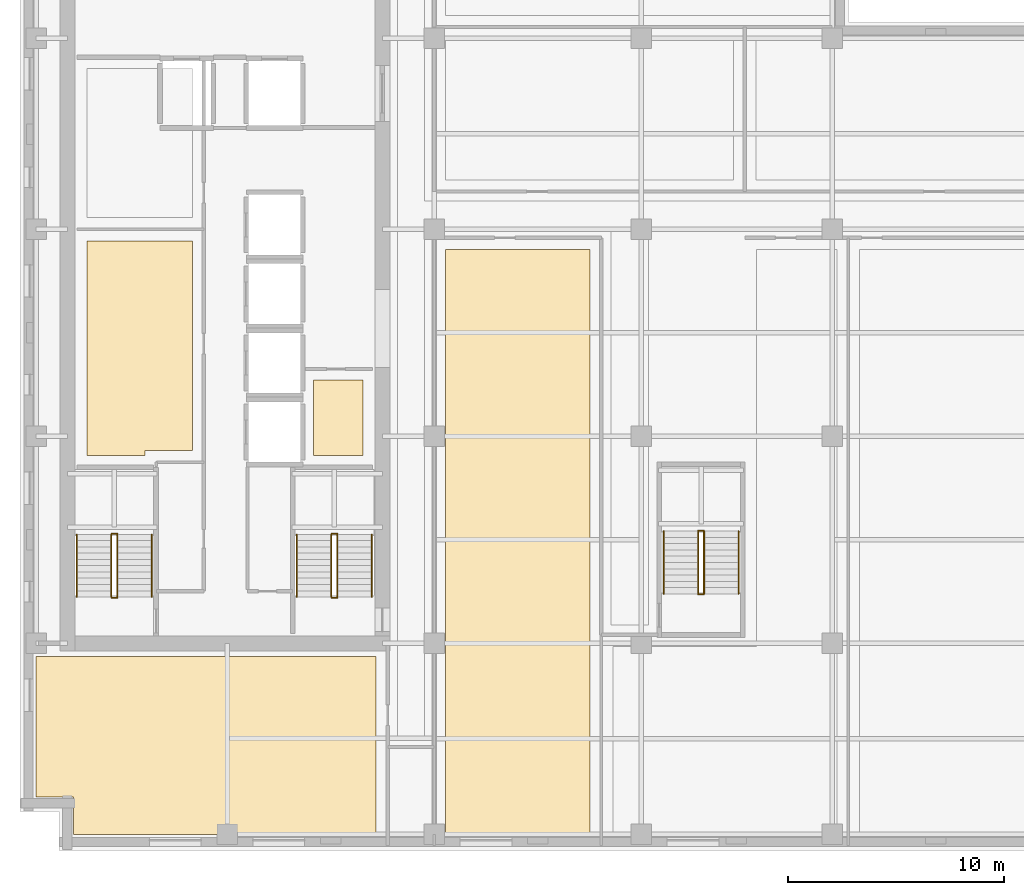
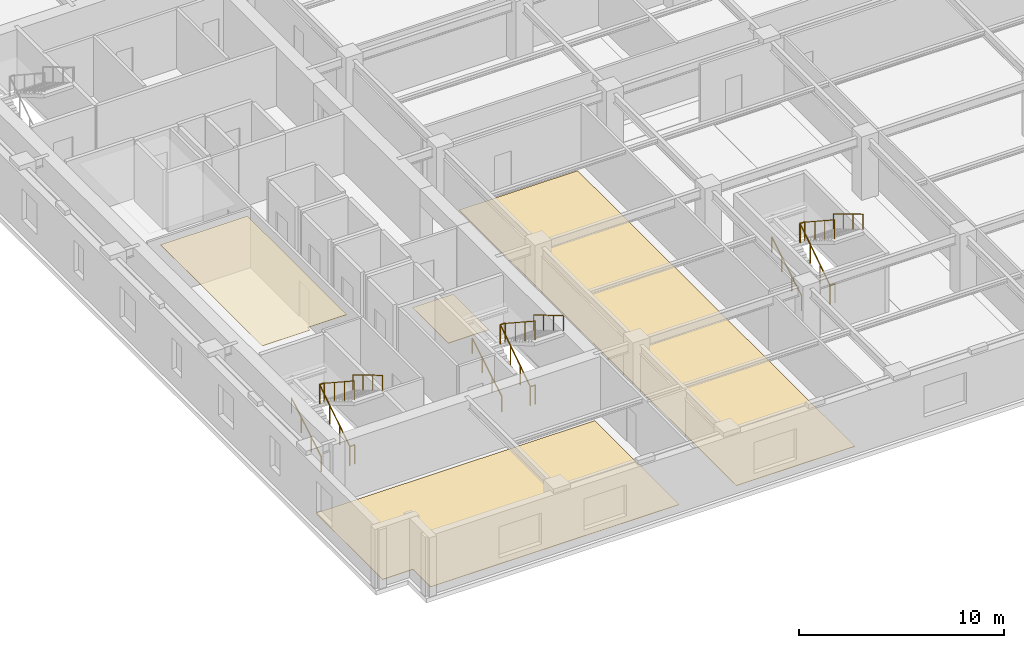
# One storey, part 8 of 12: 18 railings, 4 coverings.
"""IFC4 building model written with IfcOpenShell, lengths in metres."""

from ifc_helpers import new_model, si_unit, direction, frame, origin, origin_2d, place, context, subcontext, project, spatial, polyline, circle, outline, extrude, material, layer, layer_set, type_object, element, save


model = new_model("IFC4")

# Units and contexts
model_context = context("Model", 3, precision=1e-05, world=origin(), true_north=direction((0.0, 1.0)))
body_context = subcontext(model_context, "Body", "Model", "MODEL_VIEW")
ifc_project = project(units=[si_unit("LENGTHUNIT", "METRE"), si_unit("AREAUNIT", "SQUARE_METRE"), si_unit("VOLUMEUNIT", "CUBIC_METRE"), si_unit("PLANEANGLEUNIT", "RADIAN"), si_unit("MASSUNIT", "GRAM", prefix="KILO")], contexts=[model_context])

# Site, building, storey
site_placement = place(None, origin())
site = spatial("IfcSite", under=ifc_project, at=site_placement, CompositionType="ELEMENT")
building_placement = place(site_placement, origin())
building = spatial("IfcBuilding", under=site, at=building_placement, Name="Norrvale University Quadrangle", CompositionType="ELEMENT")
storey_placement = place(building_placement, frame((0.0, 0.0, 186.39990234375)))
storey = spatial("IfcBuildingStorey", under=building, at=storey_placement, Name="L47", CompositionType="ELEMENT", Elevation=186.39990234375)

# Coverings
ifc_material_1 = material(Name="Perforated Acoustic Mineral Ceiling")
ifc_layer_1 = layer(ifc_material_1, 0.02490234375, Name="Perforated Acoustic Mineral Ceiling")
ifc_layer_set_1 = layer_set([ifc_layer_1], Name="Perforated Acoustic Mineral Ceiling")
covering_type_1 = type_object("IfcCoveringType", Name="Covering Acoustic Ceiling 25", PredefinedType="CEILING", material=ifc_layer_set_1)
covering_1_placement = place(storey_placement, frame((0.0, 0.0, 3.51513671875)))
element("IfcCovering", 1, at=covering_1_placement, inside=storey, type_object=covering_type_1, Name="Acoustic Ceiling RM-L47-REC2", PredefinedType="CEILING", context=body_context, shape_type="SweptSolid", body=[
    extrude(outline(polyline([(3.10009765625, 18.300048828125), (3.10009765625, 28.25), (8.0, 28.25), (8.0, 18.550048828125), (5.800048828125, 18.550048828125), (5.800048828125, 18.300048828125), (3.10009765625, 18.300048828125)])), origin(), (0.0, 0.0, 1.0), 0.02490234375),
])
ifc_material_2 = material(Name="Polished Terrazzo Flooring")
ifc_layer_2 = layer(ifc_material_2, 0.02490234375, Name="Polished Terrazzo Flooring")
ifc_layer_set_2 = layer_set([ifc_layer_2], Name="Polished Terrazzo Flooring")
covering_type_2 = type_object("IfcCoveringType", Name="Covering Terrazzo Floor 30", PredefinedType="FLOORING", material=ifc_layer_set_2)
covering_2_placement = place(storey_placement, origin())
element("IfcCovering", 2, at=covering_2_placement, inside=storey, type_object=covering_type_2, Name="Terrazzo Flooring RM-L47-JAN", PredefinedType="FLOORING", context=body_context, shape_type="SweptSolid", body=[
    extrude(outline(polyline([(13.60009765625, 18.300048828125), (13.60009765625, 21.800048828125), (15.89990234375, 21.800048828125), (15.89990234375, 18.300048828125), (13.60009765625, 18.300048828125)])), origin(), (0.0, 0.0, 1.0), 0.025146484375),
])
covering_3_placement = place(storey_placement, origin())
element("IfcCovering", 3, at=covering_3_placement, inside=storey, type_object=covering_type_2, Name="Terrazzo Flooring RM-L47-SW1", PredefinedType="FLOORING", context=body_context, shape_type="SweptSolid", body=[
    extrude(outline(polyline([(0.75, 9.0), (16.5, 9.0), (16.5, 0.75), (2.469970703125, 0.75), (2.469970703125, 2.469970703125), (0.75, 2.469970703125), (0.75, 9.0)])), origin(), (0.0, 0.0, 1.0), 0.025146484375),
])
covering_4_placement = place(storey_placement, origin())
element("IfcCovering", 4, at=covering_4_placement, inside=storey, type_object=covering_type_2, Name="Terrazzo Flooring RM-L47-SE1", PredefinedType="FLOORING", context=body_context, shape_type="SweptSolid", body=[
    extrude(outline(polyline([(19.72998046875, 27.8701171875), (26.419921875, 27.8701171875), (26.419921875, 0.75), (19.72998046875, 0.75), (19.72998046875, 27.8701171875)])), origin(), (0.0, 0.0, 1.0), 0.025146484375),
])

# Railings
ifc_material_3 = material(Name="Steel 350W Painted Balustrade", Category="steel")
railing_type_1 = type_object("IfcRailingType", Name="Railing Stair Guard 1100", PredefinedType="GUARDRAIL", material=ifc_material_3)
for number, where, name in (
    (5, (4.239990234375, 11.719970703125, 0.0), "Stair Floor Well Guard ST-01 L47"),
    (6, (4.239990234375, 14.679931640625, 1.900146484375), "Stair Mid-Landing Slot Guard ST-01 L47"),
):
    element("IfcRailing", number, at=place(storey_placement, frame(where)), inside=storey, type_object=railing_type_1, Name=name, PredefinedType="GUARDRAIL", context=body_context, shape_type="SweptSolid", body=[
        extrude(circle(Radius=0.02392578125, at=origin_2d()), frame((0.0, 0.0, 1.1259765625), z_axis=(1.0, 0.0, 0.0), x_axis=(0.0, 1.0, 0.0)), (0.0, 0.0, 1.0), 0.27001953125),
        extrude(circle(Radius=0.02099609375, at=origin_2d()), origin(), (0.0, 0.0, 1.0), 1.101806640625),
        extrude(circle(Radius=0.02099609375, at=origin_2d()), frame((0.27001953125, 0.0, 0.0)), (0.0, 0.0, 1.0), 1.101806640625),
    ])
railing_1_placement = place(storey_placement, frame((4.239990234375, 11.75, 0.0)))
element("IfcRailing", 7, at=railing_1_placement, inside=storey, type_object=railing_type_1, Name="Stair Lower Flight Inner Guard ST-01 L47", PredefinedType="GUARDRAIL", context=body_context, shape_type="SweptSolid", body=[
    extrude(circle(Radius=0.02392578125, at=origin_2d()), frame((0.0, 0.0, 1.1259765625), z_axis=(0.0, 0.836433300813, 0.548068730445), x_axis=(-1.0, 0.0, 0.0)), (0.0, 0.0, 1.0), 3.467041015625),
    extrude(circle(Radius=0.02099609375, at=origin_2d()), origin(), (0.0, 0.0, 1.0), 1.101806640625),
    extrude(circle(Radius=0.02099609375, at=origin_2d()), frame((0.0, 0.966552734375, 0.63330078125)), (0.0, 0.0, 1.0), 1.101806640625),
    extrude(circle(Radius=0.02099609375, at=origin_2d()), frame((0.0, 1.933349609375, 1.266845703125)), (0.0, 0.0, 1.0), 1.101806640625),
    extrude(circle(Radius=0.02099609375, at=origin_2d()), frame((0.0, 2.89990234375, 1.900146484375)), (0.0, 0.0, 1.0), 1.101806640625),
])
railing_2_placement = place(storey_placement, frame((4.510009765625, 14.64990234375, 1.900146484375)))
element("IfcRailing", 8, at=railing_2_placement, inside=storey, type_object=railing_type_1, Name="Stair Upper Flight Inner Guard ST-01 L47", PredefinedType="GUARDRAIL", context=body_context, shape_type="SweptSolid", body=[
    extrude(circle(Radius=0.02392578125, at=origin_2d()), frame((0.0, 0.0, 1.1259765625), z_axis=(0.0, -0.836465582154, 0.548019461216), x_axis=(1.0, 0.0, 0.0)), (0.0, 0.0, 1.0), 3.466796875),
    extrude(circle(Radius=0.02099609375, at=origin_2d()), origin(), (0.0, 0.0, 1.0), 1.101806640625),
    extrude(circle(Radius=0.02099609375, at=origin_2d()), frame((0.0, -0.966552734375, 0.63330078125)), (0.0, 0.0, 1.0), 1.101806640625),
    extrude(circle(Radius=0.02099609375, at=origin_2d()), frame((0.0, -1.933349609375, 1.2666015625)), (0.0, 0.0, 1.0), 1.101806640625),
    extrude(circle(Radius=0.02099609375, at=origin_2d()), frame((0.0, -2.89990234375, 1.89990234375)), (0.0, 0.0, 1.0), 1.101806640625),
])
for number, where, name in (
    (9, (14.43994140625, 11.719970703125, 0.0), "Stair Floor Well Guard ST-03 L47"),
    (10, (14.43994140625, 14.679931640625, 1.900146484375), "Stair Mid-Landing Slot Guard ST-03 L47"),
):
    element("IfcRailing", number, at=place(storey_placement, frame(where)), inside=storey, type_object=railing_type_1, Name=name, PredefinedType="GUARDRAIL", context=body_context, shape_type="SweptSolid", body=[
        extrude(circle(Radius=0.02392578125, at=origin_2d()), frame((0.0, 0.0, 1.1259765625), z_axis=(1.0, 0.0, 0.0), x_axis=(0.0, 1.0, 0.0)), (0.0, 0.0, 1.0), 0.27001953125),
        extrude(circle(Radius=0.02099609375, at=origin_2d()), origin(), (0.0, 0.0, 1.0), 1.101806640625),
        extrude(circle(Radius=0.02099609375, at=origin_2d()), frame((0.27001953125, 0.0, 0.0)), (0.0, 0.0, 1.0), 1.101806640625),
    ])
railing_3_placement = place(storey_placement, frame((14.43994140625, 11.75, 0.0)))
element("IfcRailing", 11, at=railing_3_placement, inside=storey, type_object=railing_type_1, Name="Stair Lower Flight Inner Guard ST-03 L47", PredefinedType="GUARDRAIL", context=body_context, shape_type="SweptSolid", body=[
    extrude(circle(Radius=0.02392578125, at=origin_2d()), frame((0.0, 0.0, 1.1259765625), z_axis=(0.0, 0.836433300813, 0.548068730445), x_axis=(-1.0, 0.0, 0.0)), (0.0, 0.0, 1.0), 3.467041015625),
    extrude(circle(Radius=0.02099609375, at=origin_2d()), origin(), (0.0, 0.0, 1.0), 1.101806640625),
    extrude(circle(Radius=0.02099609375, at=origin_2d()), frame((0.0, 0.966552734375, 0.63330078125)), (0.0, 0.0, 1.0), 1.101806640625),
    extrude(circle(Radius=0.02099609375, at=origin_2d()), frame((0.0, 1.933349609375, 1.266845703125)), (0.0, 0.0, 1.0), 1.101806640625),
    extrude(circle(Radius=0.02099609375, at=origin_2d()), frame((0.0, 2.89990234375, 1.900146484375)), (0.0, 0.0, 1.0), 1.101806640625),
])
railing_4_placement = place(storey_placement, frame((14.7099609375, 14.64990234375, 1.900146484375)))
element("IfcRailing", 12, at=railing_4_placement, inside=storey, type_object=railing_type_1, Name="Stair Upper Flight Inner Guard ST-03 L47", PredefinedType="GUARDRAIL", context=body_context, shape_type="SweptSolid", body=[
    extrude(circle(Radius=0.02392578125, at=origin_2d()), frame((0.0, 0.0, 1.1259765625), z_axis=(0.0, -0.836465582154, 0.548019461216), x_axis=(1.0, 0.0, 0.0)), (0.0, 0.0, 1.0), 3.466796875),
    extrude(circle(Radius=0.02099609375, at=origin_2d()), origin(), (0.0, 0.0, 1.0), 1.101806640625),
    extrude(circle(Radius=0.02099609375, at=origin_2d()), frame((0.0, -0.966552734375, 0.63330078125)), (0.0, 0.0, 1.0), 1.101806640625),
    extrude(circle(Radius=0.02099609375, at=origin_2d()), frame((0.0, -1.933349609375, 1.2666015625)), (0.0, 0.0, 1.0), 1.101806640625),
    extrude(circle(Radius=0.02099609375, at=origin_2d()), frame((0.0, -2.89990234375, 1.89990234375)), (0.0, 0.0, 1.0), 1.101806640625),
])
for number, where, name in (
    (13, (31.43994140625, 11.8701171875, 0.0), "Stair Floor Well Guard ST-04 L47"),
    (14, (31.43994140625, 14.830078125, 1.900146484375), "Stair Mid-Landing Slot Guard ST-04 L47"),
):
    element("IfcRailing", number, at=place(storey_placement, frame(where)), inside=storey, type_object=railing_type_1, Name=name, PredefinedType="GUARDRAIL", context=body_context, shape_type="SweptSolid", body=[
        extrude(circle(Radius=0.02392578125, at=origin_2d()), frame((0.0, 0.0, 1.1259765625), z_axis=(1.0, 0.0, 0.0), x_axis=(0.0, 1.0, 0.0)), (0.0, 0.0, 1.0), 0.27001953125),
        extrude(circle(Radius=0.02099609375, at=origin_2d()), origin(), (0.0, 0.0, 1.0), 1.101806640625),
        extrude(circle(Radius=0.02099609375, at=origin_2d()), frame((0.27001953125, 0.0, 0.0)), (0.0, 0.0, 1.0), 1.101806640625),
    ])
railing_5_placement = place(storey_placement, frame((31.43994140625, 11.89990234375, 0.0)))
element("IfcRailing", 15, at=railing_5_placement, inside=storey, type_object=railing_type_1, Name="Stair Lower Flight Inner Guard ST-04 L47", PredefinedType="GUARDRAIL", context=body_context, shape_type="SweptSolid", body=[
    extrude(circle(Radius=0.02392578125, at=origin_2d()), frame((0.0, 0.0, 1.1259765625), z_axis=(0.0, 0.836454451266, 0.548036450392), x_axis=(-1.0, 0.0, 0.0)), (0.0, 0.0, 1.0), 3.46728515625),
    extrude(circle(Radius=0.02099609375, at=origin_2d()), origin(), (0.0, 0.0, 1.0), 1.101806640625),
    extrude(circle(Radius=0.02099609375, at=origin_2d()), frame((0.0, 0.966796875, 0.63330078125)), (0.0, 0.0, 1.0), 1.101806640625),
    extrude(circle(Radius=0.02099609375, at=origin_2d()), frame((0.0, 1.933349609375, 1.266845703125)), (0.0, 0.0, 1.0), 1.101806640625),
    extrude(circle(Radius=0.02099609375, at=origin_2d()), frame((0.0, 2.900146484375, 1.900146484375)), (0.0, 0.0, 1.0), 1.101806640625),
])
railing_6_placement = place(storey_placement, frame((31.7099609375, 14.800048828125, 1.900146484375)))
element("IfcRailing", 16, at=railing_6_placement, inside=storey, type_object=railing_type_1, Name="Stair Upper Flight Inner Guard ST-04 L47", PredefinedType="GUARDRAIL", context=body_context, shape_type="SweptSolid", body=[
    extrude(circle(Radius=0.02392578125, at=origin_2d()), frame((0.0, 0.0, 1.1259765625), z_axis=(0.0, -0.836486729621, 0.547987181573), x_axis=(1.0, 0.0, 0.0)), (0.0, 0.0, 1.0), 3.467041015625),
    extrude(circle(Radius=0.02099609375, at=origin_2d()), origin(), (0.0, 0.0, 1.0), 1.101806640625),
    extrude(circle(Radius=0.02099609375, at=origin_2d()), frame((0.0, -0.966796875, 0.63330078125)), (0.0, 0.0, 1.0), 1.101806640625),
    extrude(circle(Radius=0.02099609375, at=origin_2d()), frame((0.0, -1.933349609375, 1.2666015625)), (0.0, 0.0, 1.0), 1.101806640625),
    extrude(circle(Radius=0.02099609375, at=origin_2d()), frame((0.0, -2.900146484375, 1.89990234375)), (0.0, 0.0, 1.0), 1.101806640625),
])
ifc_material_4 = material(Name="Stainless Steel 316L Handrail", Category="steel")
railing_type_2 = type_object("IfcRailingType", Name="Railing Stair Handrail 920", PredefinedType="HANDRAIL", material=ifc_material_4)
railing_7_placement = place(storey_placement, frame((2.639892578125, 11.75, 0.1728515625)))
element("IfcRailing", 17, at=railing_7_placement, inside=storey, type_object=railing_type_2, Name="Stair Lower Flight Handrail ST-01 L47", PredefinedType="HANDRAIL", context=body_context, shape_type="SweptSolid", body=[
    extrude(circle(Radius=0.02392578125, at=origin_2d()), frame((0.0, 0.0, 0.89599609375), z_axis=(0.0, 0.859141464434, 0.511738159696), x_axis=(-1.0, 0.0, 0.0)), (0.0, 0.0, 1.0), 3.375244140625),
    extrude(circle(Radius=0.02099609375, at=origin_2d()), origin(), (0.0, 0.0, 1.0), 0.871826171875),
    extrude(circle(Radius=0.02099609375, at=origin_2d()), frame((0.0, 0.966552734375, 0.57568359375)), (0.0, 0.0, 1.0), 0.871826171875),
    extrude(circle(Radius=0.02099609375, at=origin_2d()), frame((0.0, 1.933349609375, 1.151611328125)), (0.0, 0.0, 1.0), 0.871826171875),
    extrude(circle(Radius=0.02099609375, at=origin_2d()), frame((0.0, 2.89990234375, 1.727294921875)), (0.0, 0.0, 1.0), 0.871826171875),
])
railing_8_placement = place(storey_placement, frame((6.110107421875, 14.64990234375, 2.07275390625)))
element("IfcRailing", 18, at=railing_8_placement, inside=storey, type_object=railing_type_2, Name="Stair Upper Flight Handrail ST-01 L47", PredefinedType="HANDRAIL", context=body_context, shape_type="SweptSolid", body=[
    extrude(circle(Radius=0.02392578125, at=origin_2d()), frame((0.0, 0.0, 0.89599609375), z_axis=(0.0, -0.859141464434, 0.511738159696), x_axis=(1.0, 0.0, 0.0)), (0.0, 0.0, 1.0), 3.375244140625),
    extrude(circle(Radius=0.02099609375, at=origin_2d()), origin(), (0.0, 0.0, 1.0), 0.871826171875),
    extrude(circle(Radius=0.02099609375, at=origin_2d()), frame((0.0, -0.966552734375, 0.57568359375)), (0.0, 0.0, 1.0), 0.871826171875),
    extrude(circle(Radius=0.02099609375, at=origin_2d()), frame((0.0, -1.933349609375, 1.151611328125)), (0.0, 0.0, 1.0), 0.871826171875),
    extrude(circle(Radius=0.02099609375, at=origin_2d()), frame((0.0, -2.89990234375, 1.727294921875)), (0.0, 0.0, 1.0), 0.871826171875),
])
railing_9_placement = place(storey_placement, frame((12.840087890625, 11.75, 0.1728515625)))
element("IfcRailing", 19, at=railing_9_placement, inside=storey, type_object=railing_type_2, Name="Stair Lower Flight Handrail ST-03 L47", PredefinedType="HANDRAIL", context=body_context, shape_type="SweptSolid", body=[
    extrude(circle(Radius=0.02392578125, at=origin_2d()), frame((0.0, 0.0, 0.89599609375), z_axis=(0.0, 0.859141464434, 0.511738159696), x_axis=(-1.0, 0.0, 0.0)), (0.0, 0.0, 1.0), 3.375244140625),
    extrude(circle(Radius=0.02099609375, at=origin_2d()), origin(), (0.0, 0.0, 1.0), 0.871826171875),
    extrude(circle(Radius=0.02099609375, at=origin_2d()), frame((0.0, 0.966552734375, 0.57568359375)), (0.0, 0.0, 1.0), 0.871826171875),
    extrude(circle(Radius=0.02099609375, at=origin_2d()), frame((0.0, 1.933349609375, 1.151611328125)), (0.0, 0.0, 1.0), 0.871826171875),
    extrude(circle(Radius=0.02099609375, at=origin_2d()), frame((0.0, 2.89990234375, 1.727294921875)), (0.0, 0.0, 1.0), 0.871826171875),
])
railing_10_placement = place(storey_placement, frame((16.31005859375, 14.64990234375, 2.07275390625)))
element("IfcRailing", 20, at=railing_10_placement, inside=storey, type_object=railing_type_2, Name="Stair Upper Flight Handrail ST-03 L47", PredefinedType="HANDRAIL", context=body_context, shape_type="SweptSolid", body=[
    extrude(circle(Radius=0.02392578125, at=origin_2d()), frame((0.0, 0.0, 0.89599609375), z_axis=(0.0, -0.859141464434, 0.511738159696), x_axis=(1.0, 0.0, 0.0)), (0.0, 0.0, 1.0), 3.375244140625),
    extrude(circle(Radius=0.02099609375, at=origin_2d()), origin(), (0.0, 0.0, 1.0), 0.871826171875),
    extrude(circle(Radius=0.02099609375, at=origin_2d()), frame((0.0, -0.966552734375, 0.57568359375)), (0.0, 0.0, 1.0), 0.871826171875),
    extrude(circle(Radius=0.02099609375, at=origin_2d()), frame((0.0, -1.933349609375, 1.151611328125)), (0.0, 0.0, 1.0), 0.871826171875),
    extrude(circle(Radius=0.02099609375, at=origin_2d()), frame((0.0, -2.89990234375, 1.727294921875)), (0.0, 0.0, 1.0), 0.871826171875),
])
railing_11_placement = place(storey_placement, frame((29.840087890625, 11.89990234375, 0.1728515625)))
element("IfcRailing", 21, at=railing_11_placement, inside=storey, type_object=railing_type_2, Name="Stair Lower Flight Handrail ST-04 L47", PredefinedType="HANDRAIL", context=body_context, shape_type="SweptSolid", body=[
    extrude(circle(Radius=0.02392578125, at=origin_2d()), frame((0.0, 0.0, 0.89599609375), z_axis=(0.0, 0.859160404282, 0.51170636083), x_axis=(-1.0, 0.0, 0.0)), (0.0, 0.0, 1.0), 3.37548828125),
    extrude(circle(Radius=0.02099609375, at=origin_2d()), origin(), (0.0, 0.0, 1.0), 0.871826171875),
    extrude(circle(Radius=0.02099609375, at=origin_2d()), frame((0.0, 0.966796875, 0.57568359375)), (0.0, 0.0, 1.0), 0.871826171875),
    extrude(circle(Radius=0.02099609375, at=origin_2d()), frame((0.0, 1.933349609375, 1.151611328125)), (0.0, 0.0, 1.0), 0.871826171875),
    extrude(circle(Radius=0.02099609375, at=origin_2d()), frame((0.0, 2.900146484375, 1.727294921875)), (0.0, 0.0, 1.0), 0.871826171875),
])
railing_12_placement = place(storey_placement, frame((33.31005859375, 14.800048828125, 2.07275390625)))
element("IfcRailing", 22, at=railing_12_placement, inside=storey, type_object=railing_type_2, Name="Stair Upper Flight Handrail ST-04 L47", PredefinedType="HANDRAIL", context=body_context, shape_type="SweptSolid", body=[
    extrude(circle(Radius=0.02392578125, at=origin_2d()), frame((0.0, 0.0, 0.89599609375), z_axis=(0.0, -0.859160404282, 0.51170636083), x_axis=(1.0, 0.0, 0.0)), (0.0, 0.0, 1.0), 3.37548828125),
    extrude(circle(Radius=0.02099609375, at=origin_2d()), origin(), (0.0, 0.0, 1.0), 0.871826171875),
    extrude(circle(Radius=0.02099609375, at=origin_2d()), frame((0.0, -0.966796875, 0.57568359375)), (0.0, 0.0, 1.0), 0.871826171875),
    extrude(circle(Radius=0.02099609375, at=origin_2d()), frame((0.0, -1.933349609375, 1.151611328125)), (0.0, 0.0, 1.0), 0.871826171875),
    extrude(circle(Radius=0.02099609375, at=origin_2d()), frame((0.0, -2.900146484375, 1.727294921875)), (0.0, 0.0, 1.0), 0.871826171875),
])

save(model, "model.ifc")
